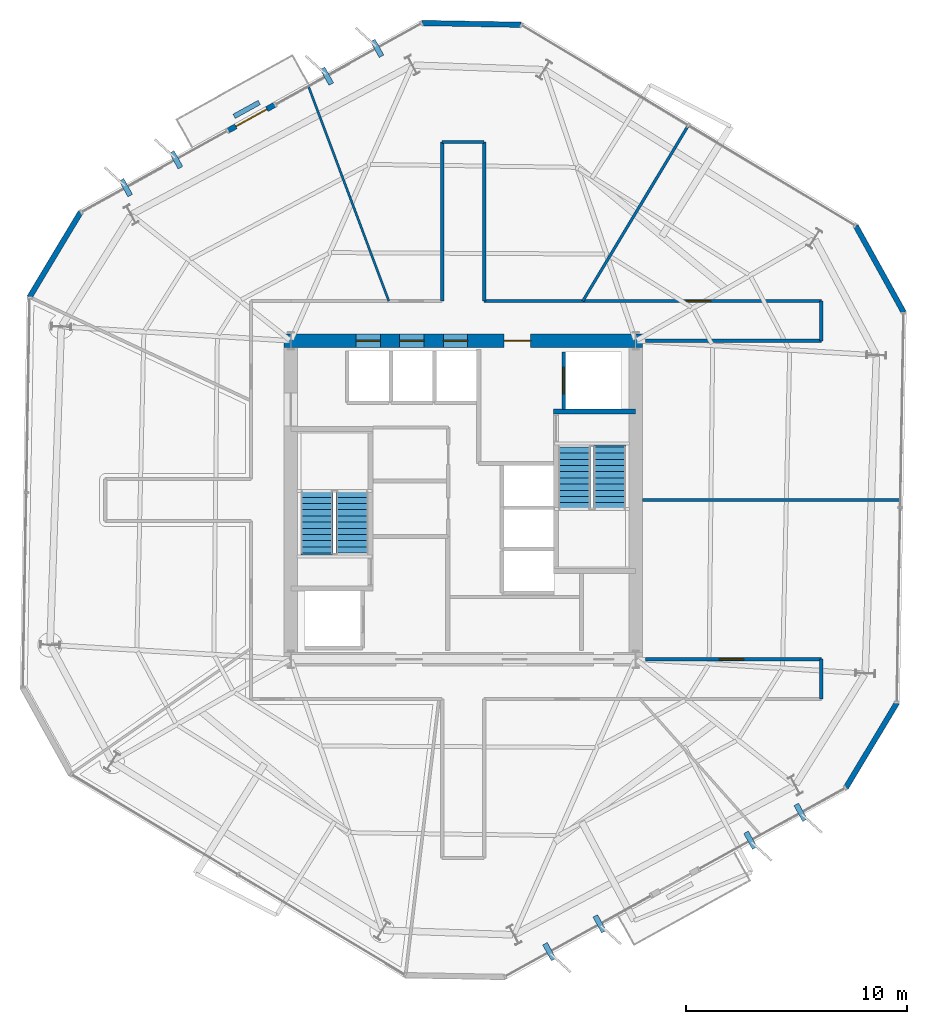
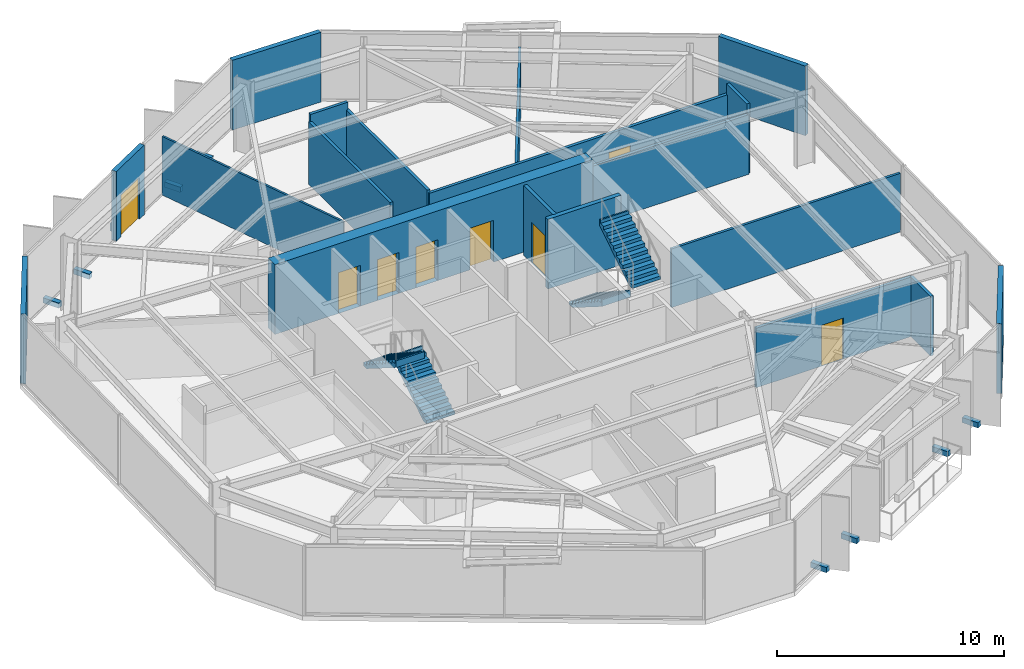
# One storey, part 8 of 11: 20 walls, 8 discrete accessories, 8 doors, 4 stair flights, 8 openings, 2 elements without a shape of their own.
"""IFC4 building model written with IfcOpenShell, lengths in metres."""

from ifc_helpers import new_model, si_unit, direction, frame, frame_2d, origin, origin_2d, place, context, subcontext, project, spatial, polyline, rectangle, outline, extrude, material, layer, layer_set, type_object, element, fill, aggregate, save


model = new_model("IFC4")

# Units and contexts
model_context = context("Model", 3, precision=1e-05, world=origin(), true_north=direction((0.0, 1.0)))
body_context = subcontext(model_context, "Body", "Model", "MODEL_VIEW")
ifc_project = project(units=[si_unit("LENGTHUNIT", "METRE"), si_unit("AREAUNIT", "SQUARE_METRE"), si_unit("VOLUMEUNIT", "CUBIC_METRE"), si_unit("PLANEANGLEUNIT", "RADIAN"), si_unit("MASSUNIT", "GRAM", prefix="KILO")], contexts=[model_context])

# Site, building, storey
site_placement = place(None, origin())
site = spatial("IfcSite", under=ifc_project, at=site_placement, CompositionType="ELEMENT")
building_placement = place(site_placement, origin())
building = spatial("IfcBuilding", under=site, at=building_placement, Name="Kranzbogen Civic Tower", CompositionType="ELEMENT")
storey_placement = place(building_placement, frame((0.0, 0.0, 138.39990234375)))
storey = spatial("IfcBuildingStorey", under=building, at=storey_placement, Name="L33", CompositionType="ELEMENT", Elevation=138.39990234375)

# Walls
ifc_material_1 = material(Name="Double-Stud Acoustic Gypsum Partition")
ifc_layer_1 = layer(ifc_material_1, 0.14990234375, Name="Double-Stud Acoustic Gypsum Partition")
ifc_layer_set_1 = layer_set([ifc_layer_1], Name="Double-Stud Acoustic Gypsum Partition")
wall_type_1 = type_object("IfcWallType", Name="Acoustic Corridor and Clinical Partition 150 mm", PredefinedType="PARTITIONING", material=ifc_layer_set_1)
wall_1_placement = place(storey_placement, frame((24.050048828125, 34.0, 0.0), z_axis=(0.0, 0.0, 1.0), x_axis=(0.0, 1.0, 0.0)))
element("IfcWall", 1, at=wall_1_placement, inside=storey, type_object=wall_type_1, Name="L33 corridor partition 11", PredefinedType="PARTITIONING", context=body_context, shape_type="SweptSolid", body=[
    extrude(rectangle(XDim=7.199951171875, YDim=0.14990234375, at=frame_2d((3.60009765625, 0.0))), origin(), (0.0, 0.0, 1.0), 3.360107421875),
])
wall_2_placement = place(storey_placement, frame((24.050048828125, 41.199951171875, 0.0), z_axis=(0.0, 0.0, 1.0), x_axis=(1.0, 0.0, 0.0)))
element("IfcWall", 2, at=wall_2_placement, inside=storey, type_object=wall_type_1, Name="L33 corridor partition 12", PredefinedType="PARTITIONING", context=body_context, shape_type="SweptSolid", body=[
    extrude(rectangle(XDim=1.89990234375, YDim=0.14990234375, at=frame_2d((0.949951171875, 0.0))), origin(), (0.0, 0.0, 1.0), 3.760009765625),
])
wall_3_placement = place(storey_placement, frame((25.949951171875, 41.199951171875, 0.0), z_axis=(0.0, 0.0, 1.0), x_axis=(0.0, -1.0, 0.0)))
element("IfcWall", 3, at=wall_3_placement, inside=storey, type_object=wall_type_1, Name="L33 corridor partition 13", PredefinedType="PARTITIONING", context=body_context, shape_type="SweptSolid", body=[
    extrude(rectangle(XDim=7.199951171875, YDim=0.14990234375, at=frame_2d((3.60009765625, 0.0))), origin(), (0.0, 0.0, 1.0), 3.360107421875),
])

# Wall, opening, door
wall_4_placement = place(storey_placement, frame((25.949951171875, 34.0, 0.0), z_axis=(0.0, 0.0, 1.0), x_axis=(1.0, 0.0, 0.0)))
wall_4 = element("IfcWall", 4, at=wall_4_placement, inside=storey, type_object=wall_type_1, Name="L33 corridor partition 14", PredefinedType="PARTITIONING", context=body_context, shape_type="SweptSolid", body=[
    extrude(rectangle(XDim=15.25, YDim=0.14990234375, at=frame_2d((7.625, 0.0))), origin(), (0.0, 0.0, 1.0), 3.210205078125),
])
opening_1_placement = place(wall_4_placement, frame((9.14501953125, 0.0, 0.0)))
opening_1 = element("IfcOpeningElement", 5, at=opening_1_placement, cuts=wall_4, Name="Opening D-COR60", PredefinedType="OPENING", context=body_context, shape_type="SweptSolid", body=[
    extrude(rectangle(XDim=1.10009765625, YDim=2.199951171875, at=frame_2d((0.550048828125, 1.10009765625))), frame((0.0, 0.0849609375, 0.0), z_axis=(0.0, -1.0, 0.0), x_axis=(1.0, 0.0, 0.0)), (0.0, 0.0, 1.0), 0.169921875),
])
ifc_material_2 = material(Name="Oak Timber and Fire Core", Category="wood")
door_type_1 = type_object("IfcDoorType", Name="Corridor Acoustic Fire Door 1100x2200", OperationType="NOTDEFINED", PredefinedType="DOOR", material=ifc_material_2)
door_1_placement = place(opening_1_placement, origin())
door_1 = element("IfcDoor", 6, at=door_1_placement, inside=storey, type_object=door_type_1, Name="L33 Public Delegation Reception door", OperationType="SINGLE_SWING_LEFT", OverallHeight=2.199951171875, OverallWidth=1.10009765625, PredefinedType="DOOR", context=body_context, shape_type="SweptSolid", body=[
    extrude(rectangle(XDim=1.10009765625, YDim=2.199951171875, at=frame_2d((0.550048828125, 1.10009765625))), frame((0.0, 0.02490234375, 0.0), z_axis=(0.0, -1.0, 0.0), x_axis=(1.0, 0.0, 0.0)), (0.0, 0.0, 1.0), 0.050048828125),
])
fill(opening_1, door_1)

# Walls
wall_5_placement = place(storey_placement, frame((41.199951171875, 34.0, 0.0), z_axis=(0.0, 0.0, 1.0), x_axis=(0.0, -1.0, 0.0)))
element("IfcWall", 7, at=wall_5_placement, inside=storey, type_object=wall_type_1, Name="L33 corridor partition 15", PredefinedType="PARTITIONING", context=body_context, shape_type="SweptSolid", body=[
    extrude(rectangle(XDim=1.800048828125, YDim=0.14990234375, at=frame_2d((0.89990234375, 0.0))), origin(), (0.0, 0.0, 1.0), 3.760009765625),
])
wall_6_placement = place(storey_placement, frame((41.199951171875, 32.199951171875, 0.0), z_axis=(0.0, 0.0, 1.0), x_axis=(-1.0, 0.0, 0.0)))
element("IfcWall", 8, at=wall_6_placement, inside=storey, type_object=wall_type_1, Name="L33 corridor partition 16", PredefinedType="PARTITIONING", context=body_context, shape_type="SweptSolid", body=[
    extrude(rectangle(XDim=7.952880859375, YDim=0.14990234375, at=frame_2d((3.9765625, 0.0))), origin(), (0.0, 0.0, 1.0), 3.210205078125),
])

# Wall, opening, door
wall_7_placement = place(storey_placement, frame((33.2470703125, 17.800048828125, 0.0), z_axis=(0.0, 0.0, 1.0), x_axis=(1.0, 0.0, 0.0)))
wall_7 = element("IfcWall", 9, at=wall_7_placement, inside=storey, type_object=wall_type_1, Name="L33 corridor partition 17", PredefinedType="PARTITIONING", context=body_context, shape_type="SweptSolid", body=[
    extrude(rectangle(XDim=7.952880859375, YDim=0.14990234375, at=frame_2d((3.9765625, 0.0))), origin(), (0.0, 0.0, 1.0), 3.210205078125),
])
opening_2_placement = place(wall_7_placement, frame((3.337890625, 0.0, 0.0)))
opening_2 = element("IfcOpeningElement", 10, at=opening_2_placement, cuts=wall_7, Name="Opening D-COR60", PredefinedType="OPENING", context=body_context, shape_type="SweptSolid", body=[
    extrude(rectangle(XDim=1.10009765625, YDim=2.199951171875, at=frame_2d((0.550048828125, 1.10009765625))), frame((0.0, 0.0849609375, 0.0), z_axis=(0.0, -1.0, 0.0), x_axis=(1.0, 0.0, 0.0)), (0.0, 0.0, 1.0), 0.169921875),
])
door_2_placement = place(opening_2_placement, origin())
door_2 = element("IfcDoor", 11, at=door_2_placement, inside=storey, type_object=door_type_1, Name="L33 Visitor Concierge Foyer door", OperationType="SINGLE_SWING_RIGHT", OverallHeight=2.199951171875, OverallWidth=1.10009765625, PredefinedType="DOOR", context=body_context, shape_type="SweptSolid", body=[
    extrude(rectangle(XDim=1.10009765625, YDim=2.199951171875, at=frame_2d((0.550048828125, 1.10009765625))), frame((0.0, 0.02490234375, 0.0), z_axis=(0.0, -1.0, 0.0), x_axis=(1.0, 0.0, 0.0)), (0.0, 0.0, 1.0), 0.050048828125),
])
fill(opening_2, door_2)

# Walls
wall_8_placement = place(storey_placement, frame((41.199951171875, 17.800048828125, 0.0), z_axis=(0.0, 0.0, 1.0), x_axis=(0.0, -1.0, 0.0)))
element("IfcWall", 12, at=wall_8_placement, inside=storey, type_object=wall_type_1, Name="L33 corridor partition 18", PredefinedType="PARTITIONING", context=body_context, shape_type="SweptSolid", body=[
    extrude(rectangle(XDim=1.800048828125, YDim=0.14990234375, at=frame_2d((0.89990234375, 0.0))), origin(), (0.0, 0.0, 1.0), 3.210205078125),
])
ifc_material_3 = material(Name="Insulated Metal-Stud Gypsum Partition")
ifc_layer_2 = layer(ifc_material_3, 0.125, Name="Insulated Metal-Stud Gypsum Partition")
ifc_layer_set_2 = layer_set([ifc_layer_2], Name="Insulated Metal-Stud Gypsum Partition")
wall_type_2 = type_object("IfcWallType", Name="Acoustic Inter-Room Partition 125 mm", PredefinedType="PARTITIONING", material=ifc_layer_set_2)
wall_9_placement = place(storey_placement, frame((30.407958984375, 34.0, 0.0), z_axis=(0.0, 0.0, 1.0), x_axis=(0.514992235675, 0.857194842025, 0.0)))
element("IfcWall", 13, at=wall_9_placement, inside=storey, type_object=wall_type_2, Name="L33 radial room partition 01", PredefinedType="PARTITIONING", context=body_context, shape_type="SweptSolid", body=[
    extrude(rectangle(XDim=9.254638671875, YDim=0.125, at=frame_2d((4.62744140625, 0.0))), origin(), (0.0, 0.0, 1.0), 3.050048828125),
])
wall_10_placement = place(storey_placement, frame((33.10009765625, 25.0, 0.0), z_axis=(0.0, 0.0, 1.0), x_axis=(1.0, 0.0, 0.0)))
element("IfcWall", 14, at=wall_10_placement, inside=storey, type_object=wall_type_2, Name="L33 radial room partition 07", PredefinedType="PARTITIONING", context=body_context, shape_type="SweptSolid", body=[
    extrude(rectangle(XDim=11.657958984375, YDim=0.125, at=frame_2d((5.8291015625, 0.0))), origin(), (0.0, 0.0, 1.0), 3.16015625),
])
ifc_material_4 = material(Name="Architectural Precast Terracotta Concrete C40/50", Category="masonry")
ifc_layer_3 = layer(ifc_material_4, 0.219970703125, Name="Architectural Precast Terracotta Concrete C40/50")
ifc_layer_set_3 = layer_set([ifc_layer_3], Name="Architectural Precast Terracotta Concrete C40/50")
wall_type_3 = type_object("IfcWallType", Name="Architectural Tree Planter Kerb Wall 220 mm", PredefinedType="USERDEFINED", material=ifc_layer_set_3)
wall_11_placement = place(storey_placement, frame((15.77294921875, 42.986083984375, 0.0), z_axis=(0.0, 0.0, 1.0), x_axis=(-0.874829292821, -0.484431324774, 0.0)))
element("IfcWall", 15, at=wall_11_placement, inside=storey, type_object=wall_type_3, Name="L33 landscaped tree balcony planter L33-TB1", ObjectType="PLANTER_WALL", PredefinedType="USERDEFINED", context=body_context, shape_type="SweptSolid", body=[
    extrude(rectangle(XDim=1.30078125, YDim=0.219970703125, at=frame_2d((0.650390625, 0.0))), origin(), (0.0, 0.0, 1.0), 0.400146484375),
])

# Wall, openings, doors
ifc_material_5 = material(Name="Concrete C55/67", Category="concrete")
ifc_layer_4 = layer(ifc_material_5, 0.60009765625, Name="Concrete C55/67")
ifc_layer_set_4 = layer_set([ifc_layer_4], Name="Concrete C55/67")
wall_type_4 = type_object("IfcWallType", Name="Central Core Shear Wall 600 mm", PredefinedType="SHEAR", material=ifc_layer_set_4)
wall_12_placement = place(storey_placement, frame((33.10009765625, 32.199951171875, 0.0), z_axis=(0.0, 0.0, 1.0), x_axis=(-1.0, 0.0, 0.0)))
wall_12 = element("IfcWall", 16, at=wall_12_placement, inside=storey, type_object=wall_type_4, Name="L33 central core North shear wall", PredefinedType="SHEAR", context=body_context, shape_type="SweptSolid", body=[
    extrude(rectangle(XDim=16.2001953125, YDim=0.60009765625, at=frame_2d((8.10009765625, 0.0))), origin(), (0.0, 0.0, 1.0), 3.760009765625),
])
opening_3_placement = place(wall_12_placement, frame((5.050048828125, 0.0, 0.0)))
opening_3 = element("IfcOpeningElement", 17, at=opening_3_placement, cuts=wall_12, Name="Opening D-EX120", PredefinedType="OPENING", context=body_context, shape_type="SweptSolid", body=[
    extrude(rectangle(XDim=1.199951171875, YDim=2.25, at=frame_2d((0.60009765625, 1.125))), frame((0.0, 0.31005859375, 0.0), z_axis=(0.0, -1.0, 0.0), x_axis=(1.0, 0.0, 0.0)), (0.0, 0.0, 1.0), 0.6201171875),
])
opening_4_placement = place(wall_12_placement, frame((11.85009765625, 0.0, 0.0)))
opening_4 = element("IfcOpeningElement", 18, at=opening_4_placement, cuts=wall_12, Name="Opening LD-MP-01", PredefinedType="OPENING", context=body_context, shape_type="SweptSolid", body=[
    extrude(rectangle(XDim=1.10009765625, YDim=2.199951171875, at=frame_2d((0.550048828125, 1.10009765625))), frame((0.0, 0.31005859375, 0.0), z_axis=(0.0, -1.0, 0.0), x_axis=(1.0, 0.0, 0.0)), (0.0, 0.0, 1.0), 0.6201171875),
])
opening_5_placement = place(wall_12_placement, frame((9.875, 0.0, 0.0)))
opening_5 = element("IfcOpeningElement", 19, at=opening_5_placement, cuts=wall_12, Name="Opening LD-MP-02", PredefinedType="OPENING", context=body_context, shape_type="SweptSolid", body=[
    extrude(rectangle(XDim=1.10009765625, YDim=2.199951171875, at=frame_2d((0.550048828125, 1.10009765625))), frame((0.0, 0.31005859375, 0.0), z_axis=(0.0, -1.0, 0.0), x_axis=(1.0, 0.0, 0.0)), (0.0, 0.0, 1.0), 0.6201171875),
])
opening_6_placement = place(wall_12_placement, frame((7.89990234375, 0.0, 0.0)))
opening_6 = element("IfcOpeningElement", 20, at=opening_6_placement, cuts=wall_12, Name="Opening LD-MP-03", PredefinedType="OPENING", context=body_context, shape_type="SweptSolid", body=[
    extrude(rectangle(XDim=1.10009765625, YDim=2.199951171875, at=frame_2d((0.550048828125, 1.10009765625))), frame((0.0, 0.31005859375, 0.0), z_axis=(0.0, -1.0, 0.0), x_axis=(1.0, 0.0, 0.0)), (0.0, 0.0, 1.0), 0.6201171875),
])
ifc_material_6 = material(Name="Steel S355", Category="steel")
door_type_2 = type_object("IfcDoorType", Name="Exit Passageway Fire Door 1200x2250", OperationType="NOTDEFINED", PredefinedType="DOOR", material=ifc_material_6)
door_3_placement = place(opening_3_placement, origin())
door_3 = element("IfcDoor", 21, at=door_3_placement, inside=storey, type_object=door_type_2, Name="L33 East firefighting lobby corridor door", OperationType="SINGLE_SWING_LEFT", OverallHeight=2.25, OverallWidth=1.199951171875, PredefinedType="DOOR", context=body_context, shape_type="SweptSolid", body=[
    extrude(rectangle(XDim=1.199951171875, YDim=2.25, at=frame_2d((0.60009765625, 1.125))), frame((0.0, 0.02490234375, 0.0), z_axis=(0.0, -1.0, 0.0), x_axis=(1.0, 0.0, 0.0)), (0.0, 0.0, 1.0), 0.050048828125),
])
fill(opening_3, door_3)
ifc_material_7 = material(Name="Pale Anodised Aluminium", Category="aluminium")
door_type_3 = type_object("IfcDoorType", Name="Passenger Lift Sliding Landing Door 1100x2200", OperationType="DOUBLE_DOOR_SLIDING", PredefinedType="DOOR", material=ifc_material_7)
door_4_placement = place(opening_4_placement, origin())
door_4 = element("IfcDoor", 22, at=door_4_placement, inside=storey, type_object=door_type_3, Name="L33 lift MP-01 sliding landing door", OperationType="DOUBLE_DOOR_SLIDING", OverallHeight=2.199951171875, OverallWidth=1.10009765625, PredefinedType="DOOR", context=body_context, shape_type="SweptSolid", body=[
    extrude(rectangle(XDim=1.10009765625, YDim=2.199951171875, at=frame_2d((0.550048828125, 1.10009765625))), frame((0.0, 0.02490234375, 0.0), z_axis=(0.0, -1.0, 0.0), x_axis=(1.0, 0.0, 0.0)), (0.0, 0.0, 1.0), 0.050048828125),
])
fill(opening_4, door_4)
door_5_placement = place(opening_5_placement, origin())
door_5 = element("IfcDoor", 23, at=door_5_placement, inside=storey, type_object=door_type_3, Name="L33 lift MP-02 sliding landing door", OperationType="DOUBLE_DOOR_SLIDING", OverallHeight=2.199951171875, OverallWidth=1.10009765625, PredefinedType="DOOR", context=body_context, shape_type="SweptSolid", body=[
    extrude(rectangle(XDim=1.10009765625, YDim=2.199951171875, at=frame_2d((0.550048828125, 1.10009765625))), frame((0.0, 0.02490234375, 0.0), z_axis=(0.0, -1.0, 0.0), x_axis=(1.0, 0.0, 0.0)), (0.0, 0.0, 1.0), 0.050048828125),
])
fill(opening_5, door_5)
door_6_placement = place(opening_6_placement, origin())
door_6 = element("IfcDoor", 24, at=door_6_placement, inside=storey, type_object=door_type_3, Name="L33 lift MP-03 sliding landing door", OperationType="DOUBLE_DOOR_SLIDING", OverallHeight=2.199951171875, OverallWidth=1.10009765625, PredefinedType="DOOR", context=body_context, shape_type="SweptSolid", body=[
    extrude(rectangle(XDim=1.10009765625, YDim=2.199951171875, at=frame_2d((0.550048828125, 1.10009765625))), frame((0.0, 0.02490234375, 0.0), z_axis=(0.0, -1.0, 0.0), x_axis=(1.0, 0.0, 0.0)), (0.0, 0.0, 1.0), 0.050048828125),
])
fill(opening_6, door_6)

# Walls
ifc_material_8 = material(Name="Concrete C45/55", Category="concrete")
ifc_layer_5 = layer(ifc_material_8, 0.219970703125, Name="Concrete C45/55")
ifc_layer_set_5 = layer_set([ifc_layer_5], Name="Concrete C45/55")
wall_type_5 = type_object("IfcWallType", Name="Core Internal Stair Structural Wall 220 mm", PredefinedType="SOLIDWALL", material=ifc_layer_set_5)
wall_13_placement = place(storey_placement, frame((29.080078125, 29.010009765625, 0.0), z_axis=(0.0, 0.0, 1.0), x_axis=(1.0, 0.0, 0.0)))
element("IfcWall", 25, at=wall_13_placement, inside=storey, type_object=wall_type_5, Name="L33 ST-T2 North structural stair wall", PredefinedType="SOLIDWALL", context=body_context, shape_type="SweptSolid", body=[
    extrude(rectangle(XDim=3.719970703125, YDim=0.219970703125, at=frame_2d((1.85986328125, 0.0))), origin(), (0.0, 0.0, 1.0), 3.760009765625),
])
ifc_material_9 = material(Name="Demountable Aluminium and Gypsum Partition", Category="aluminium")
ifc_layer_6 = layer(ifc_material_9, 0.10009765625, Name="Demountable Aluminium and Gypsum Partition")
ifc_layer_set_6 = layer_set([ifc_layer_6], Name="Demountable Aluminium and Gypsum Partition")
wall_type_6 = type_object("IfcWallType", Name="Demountable Office Partition 100 mm", PredefinedType="MOVABLE", material=ifc_layer_set_6)
wall_14_placement = place(storey_placement, frame((21.633056640625, 34.0, 0.0), z_axis=(0.0, 0.0, 1.0), x_axis=(-0.350441839508, 0.936584495453, 0.0)))
element("IfcWall", 26, at=wall_14_placement, inside=storey, type_object=wall_type_6, Name="L33 radial room partition 02", PredefinedType="MOVABLE", context=body_context, shape_type="SweptSolid", body=[
    extrude(rectangle(XDim=10.3642578125, YDim=0.10009765625, at=frame_2d((5.18212890625, 0.0))), origin(), (0.0, 0.0, 1.0), 3.16015625),
])

# Wall, opening, door
ifc_material_10 = material(Name="Gypsum Fireboard Shaftliner")
ifc_layer_7 = layer(ifc_material_10, 0.175048828125, Name="Gypsum Fireboard Shaftliner")
ifc_layer_set_7 = layer_set([ifc_layer_7], Name="Gypsum Fireboard Shaftliner")
wall_type_7 = type_object("IfcWallType", Name="Fire-Rated Lift and Service Shaft Wall 175 mm", PredefinedType="PARTITIONING", material=ifc_layer_set_7)
wall_15_placement = place(storey_placement, frame((29.550048828125, 29.10009765625, 0.0), z_axis=(0.0, 0.0, 1.0), x_axis=(0.0, 1.0, 0.0)))
wall_15 = element("IfcWall", 27, at=wall_15_placement, inside=storey, type_object=wall_type_7, Name="L33 lift FF-02 landing wall", PredefinedType="PARTITIONING", context=body_context, shape_type="SweptSolid", body=[
    extrude(rectangle(XDim=2.599853515625, YDim=0.175048828125, at=frame_2d((1.2998046875, 0.0))), origin(), (0.0, 0.0, 1.0), 3.760009765625),
])
opening_7_placement = place(wall_15_placement, frame((0.699951171875, 0.0, 0.0)))
opening_7 = element("IfcOpeningElement", 28, at=opening_7_placement, cuts=wall_15, Name="Opening LD-FF-02", PredefinedType="OPENING", context=body_context, shape_type="SweptSolid", body=[
    extrude(rectangle(XDim=1.199951171875, YDim=2.199951171875, at=frame_2d((0.60009765625, 1.10009765625))), frame((0.0, 0.09765625, 0.0), z_axis=(0.0, -1.0, 0.0), x_axis=(1.0, 0.0, 0.0)), (0.0, 0.0, 1.0), 0.195068359375),
])
door_type_4 = type_object("IfcDoorType", Name="Firefighting and Stretcher Lift Sliding Landing Door 1200x2200", OperationType="DOUBLE_DOOR_SLIDING", PredefinedType="DOOR", material=ifc_material_7)
door_7_placement = place(opening_7_placement, origin())
door_7 = element("IfcDoor", 29, at=door_7_placement, inside=storey, type_object=door_type_4, Name="L33 lift FF-02 sliding landing door", OperationType="DOUBLE_DOOR_SLIDING", OverallHeight=2.199951171875, OverallWidth=1.199951171875, PredefinedType="DOOR", context=body_context, shape_type="SweptSolid", body=[
    extrude(rectangle(XDim=1.199951171875, YDim=2.199951171875, at=frame_2d((0.60009765625, 1.10009765625))), frame((0.0, 0.02490234375, 0.0), z_axis=(0.0, -1.0, 0.0), x_axis=(1.0, 0.0, 0.0)), (0.0, 0.0, 1.0), 0.050048828125),
])
fill(opening_7, door_7)

# Wall
ifc_layer_8 = layer(ifc_material_7, 0.239990234375, Name="Pale Anodised Aluminium")
ifc_layer_set_8 = layer_set([ifc_layer_8], Name="Pale Anodised Aluminium")
wall_type_8 = type_object("IfcWallType", Name="Insulated Aluminium Facade Portal Wall 240 mm", PredefinedType="STANDARD", material=ifc_layer_set_8)
wall_16_placement = place(storey_placement, frame((27.611083984375, 46.498046875, 0.0), z_axis=(0.0, 0.0, 1.0), x_axis=(-0.999848251902, 0.017420481313, 0.0)))
element("IfcWall", 30, at=wall_16_placement, inside=storey, type_object=wall_type_8, Name="L33 chamfered corner facade spandrel 1", PredefinedType="STANDARD", context=body_context, shape_type="SweptSolid", body=[
    extrude(rectangle(XDim=4.470703125, YDim=0.239990234375, at=frame_2d((2.2353515625, 0.0))), origin(), (0.0, 0.0, 1.0), 3.760009765625),
])

# Wall, opening, door
wall_17_placement = place(storey_placement, frame((16.464111328125, 42.875, 0.0), z_axis=(0.0, 0.0, 1.0), x_axis=(-0.874531244889, -0.484969176044, 0.0)))
wall_17 = element("IfcWall", 31, at=wall_17_placement, inside=storey, type_object=wall_type_8, Name="L33 exterior entrance portal wall 1", PredefinedType="STANDARD", context=body_context, shape_type="SweptSolid", body=[
    extrude(rectangle(XDim=2.400390625, YDim=0.239990234375, at=frame_2d((1.2001953125, 0.0))), origin(), (0.0, 0.0, 1.0), 3.760009765625),
])
opening_8_placement = place(wall_17_placement, frame((0.39990234375, 0.0, 0.0)))
opening_8 = element("IfcOpeningElement", 32, at=opening_8_placement, cuts=wall_17, Name="Opening D-TER", PredefinedType="OPENING", context=body_context, shape_type="SweptSolid", body=[
    extrude(rectangle(XDim=1.60009765625, YDim=2.25, at=frame_2d((0.800048828125, 1.125))), frame((0.0, 0.1298828125, 0.0), z_axis=(0.0, -1.0, 0.0), x_axis=(1.0, 0.0, 0.0)), (0.0, 0.0, 1.0), 0.260009765625),
])
ifc_material_11 = material(Name="Anodised Bronze and Triple Glass", Category="glass")
door_type_5 = type_object("IfcDoorType", Name="Glazed Terrace and Balcony Double Door 1600x2250", OperationType="DOUBLE_DOOR_SINGLE_SWING", PredefinedType="DOOR", material=ifc_material_11)
door_8_placement = place(opening_8_placement, frame((1.60009765625, 0.0, 0.0), z_axis=(0.0, 0.0, 1.0), x_axis=(-1.0, 0.0, 0.0)))
door_8 = element("IfcDoor", 33, at=door_8_placement, inside=storey, type_object=door_type_5, Name="L33 tree balcony access door L33-TB1", OperationType="DOUBLE_DOOR_SINGLE_SWING", OverallHeight=2.25, OverallWidth=1.60009765625, PredefinedType="DOOR", context=body_context, shape_type="SweptSolid", body=[
    extrude(rectangle(XDim=1.60009765625, YDim=2.25, at=frame_2d((0.800048828125, 1.125))), frame((0.0, 0.02490234375, 0.0), z_axis=(0.0, -1.0, 0.0), x_axis=(1.0, 0.0, 0.0)), (0.0, 0.0, 1.0), 0.050048828125),
])
fill(opening_8, door_8)

# Walls
for number, where, z_axis, x_axis, name in (
    (34, (7.68798828125, 38.010009765625, 0.0), (0.0, 0.0, 1.0), (-0.515113973, -0.857121691955, 0.0), "L33 chamfered corner facade spandrel 2"),
    (35, (42.31201171875, 11.989990234375, 0.0), (0.0, 0.0, 1.0), (0.515113973, 0.857121691955, 0.0), "L33 chamfered corner facade spandrel 5"),
):
    element("IfcWall", number, at=place(storey_placement, frame(where, z_axis=z_axis, x_axis=x_axis)), inside=storey, type_object=wall_type_8, Name=name, PredefinedType="STANDARD", context=body_context, shape_type="SweptSolid", body=[
        extrude(rectangle(XDim=4.470703125, YDim=0.239990234375, at=frame_2d((2.2353515625, 0.0))), origin(), (0.0, 0.0, 1.0), 3.760009765625),
    ])
wall_18_placement = place(storey_placement, frame((44.923095703125, 33.488037109375, 0.0), z_axis=(0.0, 0.0, 1.0), x_axis=(-0.484965863304, 0.874533081953, 0.0)))
element("IfcWall", 36, at=wall_18_placement, inside=storey, type_object=wall_type_8, Name="L33 chamfered corner facade spandrel 6", PredefinedType="STANDARD", context=body_context, shape_type="SweptSolid", body=[
    extrude(rectangle(XDim=4.470947265625, YDim=0.239990234375, at=frame_2d((2.2353515625, 0.0))), origin(), (0.0, 0.0, 1.0), 3.760009765625),
])

# Stair, stair flights
ifc_material_12 = material(Name="Precast concrete C40/50", Category="concrete")
stair_type_1 = type_object("IfcStairType", Name="Tower Core Pressurized Dogleg Stair 1450", PredefinedType="HALF_TURN_STAIR", material=ifc_material_12)
stair_1_placement = place(storey_placement, origin())
stair_1 = element("IfcStair", 37, at=stair_1_placement, inside=storey, type_object=stair_type_1, Name="L33 Tower Core Pressurized Stair 1", PredefinedType="HALF_TURN_STAIR")
stair_flight_type = type_object("IfcStairFlightType", Name="Precast Concrete Stair Flight R180", PredefinedType="STRAIGHT", material=ifc_material_12)
stair_flight_1_placement = place(storey_placement, frame((19.97509765625, 22.60009765625, 0.0), z_axis=(0.0, 0.0, 1.0), x_axis=(0.0, 1.0, 0.0)))
stair_flight_1 = element("IfcStairFlight", 38, at=stair_flight_1_placement, type_object=stair_flight_type, Name="ST-T1 flight 1", NumberOfRisers=11, NumberOfTreads=10, PredefinedType="STRAIGHT", RiserHeight=0.181818182, TreadLength=0.28, context=body_context, shape_type="SweptSolid", body=[
    extrude(outline(polyline([(0.0, 0.0), (0.0, 0.181884765625), (0.280029296875, 0.181884765625), (0.280029296875, 0.363525390625), (0.56005859375, 0.363525390625), (0.56005859375, 0.54541015625), (0.840087890625, 0.54541015625), (0.840087890625, 0.727294921875), (1.1201171875, 0.727294921875), (1.1201171875, 0.9091796875), (1.39990234375, 0.9091796875), (1.39990234375, 1.0908203125), (1.679931640625, 1.0908203125), (1.679931640625, 1.272705078125), (1.9599609375, 1.272705078125), (1.9599609375, 1.45458984375), (2.239990234375, 1.45458984375), (2.239990234375, 1.636474609375), (2.52001953125, 1.636474609375), (2.52001953125, 1.818115234375), (2.800048828125, 1.818115234375), (2.800048828125, 2.0), (2.880126953125, 2.0), (2.880126953125, 1.639404296875), (0.275146484375, 0.0), (0.0, 0.0)])), frame((0.0, 0.72509765625, 0.0), z_axis=(0.0, -1.0, 0.0), x_axis=(1.0, 0.0, 0.0)), (0.0, 0.0, 1.0), 1.449951171875),
])
stair_flight_2_placement = place(storey_placement, frame((18.375, 25.39990234375, 2.0), z_axis=(0.0, 0.0, 1.0), x_axis=(0.0, -1.0, 0.0)))
stair_flight_2 = element("IfcStairFlight", 39, at=stair_flight_2_placement, type_object=stair_flight_type, Name="ST-T1 flight 2", NumberOfRisers=11, NumberOfTreads=10, PredefinedType="STRAIGHT", RiserHeight=0.181818182, TreadLength=0.28, context=body_context, shape_type="SweptSolid", body=[
    extrude(outline(polyline([(0.0, 0.0), (0.0, 0.181884765625), (0.280029296875, 0.181884765625), (0.280029296875, 0.363525390625), (0.56005859375, 0.363525390625), (0.56005859375, 0.54541015625), (0.840087890625, 0.54541015625), (0.840087890625, 0.727294921875), (1.1201171875, 0.727294921875), (1.1201171875, 0.9091796875), (1.39990234375, 0.9091796875), (1.39990234375, 1.0908203125), (1.679931640625, 1.0908203125), (1.679931640625, 1.272705078125), (1.9599609375, 1.272705078125), (1.9599609375, 1.45458984375), (2.239990234375, 1.45458984375), (2.239990234375, 1.636474609375), (2.52001953125, 1.636474609375), (2.52001953125, 1.818115234375), (2.800048828125, 1.818115234375), (2.800048828125, 2.0), (2.880126953125, 2.0), (2.880126953125, 1.639404296875), (0.275146484375, 0.0), (0.0, 0.0)])), frame((0.0, 0.72509765625, 0.0), z_axis=(0.0, -1.0, 0.0), x_axis=(1.0, 0.0, 0.0)), (0.0, 0.0, 1.0), 1.449951171875),
])
aggregate(stair_1, [stair_flight_1, stair_flight_2])

stair_type_2 = type_object("IfcStairType", Name="Tower Core Secondary Dogleg Stair 1450", PredefinedType="HALF_TURN_STAIR", material=ifc_material_12)
stair_2_placement = place(storey_placement, origin())
stair_2 = element("IfcStair", 40, at=stair_2_placement, inside=storey, type_object=stair_type_2, Name="L33 Tower Core Pressurized Stair 2", PredefinedType="HALF_TURN_STAIR")
stair_flight_3_placement = place(storey_placement, frame((30.02490234375, 27.39990234375, 0.0), z_axis=(0.0, 0.0, 1.0), x_axis=(0.0, -1.0, 0.0)))
stair_flight_3 = element("IfcStairFlight", 41, at=stair_flight_3_placement, type_object=stair_flight_type, Name="ST-T2 flight 1", NumberOfRisers=11, NumberOfTreads=10, PredefinedType="STRAIGHT", RiserHeight=0.181818182, TreadLength=0.28, context=body_context, shape_type="SweptSolid", body=[
    extrude(outline(polyline([(0.0, 0.0), (0.0, 0.181884765625), (0.280029296875, 0.181884765625), (0.280029296875, 0.363525390625), (0.56005859375, 0.363525390625), (0.56005859375, 0.54541015625), (0.840087890625, 0.54541015625), (0.840087890625, 0.727294921875), (1.1201171875, 0.727294921875), (1.1201171875, 0.9091796875), (1.39990234375, 0.9091796875), (1.39990234375, 1.0908203125), (1.679931640625, 1.0908203125), (1.679931640625, 1.272705078125), (1.9599609375, 1.272705078125), (1.9599609375, 1.45458984375), (2.239990234375, 1.45458984375), (2.239990234375, 1.636474609375), (2.52001953125, 1.636474609375), (2.52001953125, 1.818115234375), (2.800048828125, 1.818115234375), (2.800048828125, 2.0), (2.880126953125, 2.0), (2.880126953125, 1.639404296875), (0.275146484375, 0.0), (0.0, 0.0)])), frame((0.0, 0.72509765625, 0.0), z_axis=(0.0, -1.0, 0.0), x_axis=(1.0, 0.0, 0.0)), (0.0, 0.0, 1.0), 1.449951171875),
])
stair_flight_4_placement = place(storey_placement, frame((31.625, 24.60009765625, 2.0), z_axis=(0.0, 0.0, 1.0), x_axis=(0.0, 1.0, 0.0)))
stair_flight_4 = element("IfcStairFlight", 42, at=stair_flight_4_placement, type_object=stair_flight_type, Name="ST-T2 flight 2", NumberOfRisers=11, NumberOfTreads=10, PredefinedType="STRAIGHT", RiserHeight=0.181818182, TreadLength=0.28, context=body_context, shape_type="SweptSolid", body=[
    extrude(outline(polyline([(0.0, 0.0), (0.0, 0.181884765625), (0.280029296875, 0.181884765625), (0.280029296875, 0.363525390625), (0.56005859375, 0.363525390625), (0.56005859375, 0.54541015625), (0.840087890625, 0.54541015625), (0.840087890625, 0.727294921875), (1.1201171875, 0.727294921875), (1.1201171875, 0.9091796875), (1.39990234375, 0.9091796875), (1.39990234375, 1.0908203125), (1.679931640625, 1.0908203125), (1.679931640625, 1.272705078125), (1.9599609375, 1.272705078125), (1.9599609375, 1.45458984375), (2.239990234375, 1.45458984375), (2.239990234375, 1.636474609375), (2.52001953125, 1.636474609375), (2.52001953125, 1.818115234375), (2.800048828125, 1.818115234375), (2.800048828125, 2.0), (2.880126953125, 2.0), (2.880126953125, 1.639404296875), (0.275146484375, 0.0), (0.0, 0.0)])), frame((0.0, 0.72509765625, 0.0), z_axis=(0.0, -1.0, 0.0), x_axis=(1.0, 0.0, 0.0)), (0.0, 0.0, 1.0), 1.449951171875),
])
aggregate(stair_2, [stair_flight_3, stair_flight_4])

# Discrete accessories
discrete_accessory_type = type_object("IfcDiscreteAccessoryType", Name="Structural Curtain-Wall Fin Support Bracket", PredefinedType="BRACKET", material=ifc_material_6)
for number, where, z_axis, x_axis, name in (
    (43, (21.10498046875, 45.43310546875, -0.25), (0.0, 0.0, 1.0), (-0.484809620246, 0.874619707139, 0.0), "L33 facade fin support bracket F2-1"),
    (44, (18.8310546875, 44.173095703125, -0.25), (0.0, 0.0, 1.0), (-0.484809620246, 0.874619707139, 0.0), "L33 facade fin support bracket F2-2"),
    (45, (12.009033203125, 40.39111328125, -0.25), (0.0, 0.0, 1.0), (-0.484809620246, 0.874619707139, 0.0), "L33 facade fin support bracket F2-5"),
    (46, (9.735107421875, 39.131103515625, -0.25), (0.0, 0.0, 1.0), (-0.484809620246, 0.874619707139, 0.0), "L33 facade fin support bracket F2-6"),
    (47, (28.89501953125, 4.56689453125, -0.25), (0.0, 0.0, 1.0), (0.484809620246, -0.874619707139, 0.0), "L33 facade fin support bracket F5-1"),
    (48, (31.1689453125, 5.826904296875, -0.25), (0.0, 0.0, 1.0), (0.484809620246, -0.874619707139, 0.0), "L33 facade fin support bracket F5-2"),
    (49, (37.990966796875, 9.60888671875, -0.25), (0.0, 0.0, 1.0), (0.484809620246, -0.874619707139, 0.0), "L33 facade fin support bracket F5-5"),
    (50, (40.264892578125, 10.868896484375, -0.25), (0.0, 0.0, 1.0), (0.484809620246, -0.874619707139, 0.0), "L33 facade fin support bracket F5-6"),
):
    element("IfcDiscreteAccessory", number, at=place(storey_placement, frame(where, z_axis=z_axis, x_axis=x_axis)), inside=storey, type_object=discrete_accessory_type, Name=name, PredefinedType="BRACKET", context=body_context, shape_type="SweptSolid", body=[
        extrude(rectangle(XDim=0.820068359375, YDim=0.239990234375, at=origin_2d()), origin(), (0.0, 0.0, 1.0), 0.280029296875),
    ])

save(model, "model.ifc")
